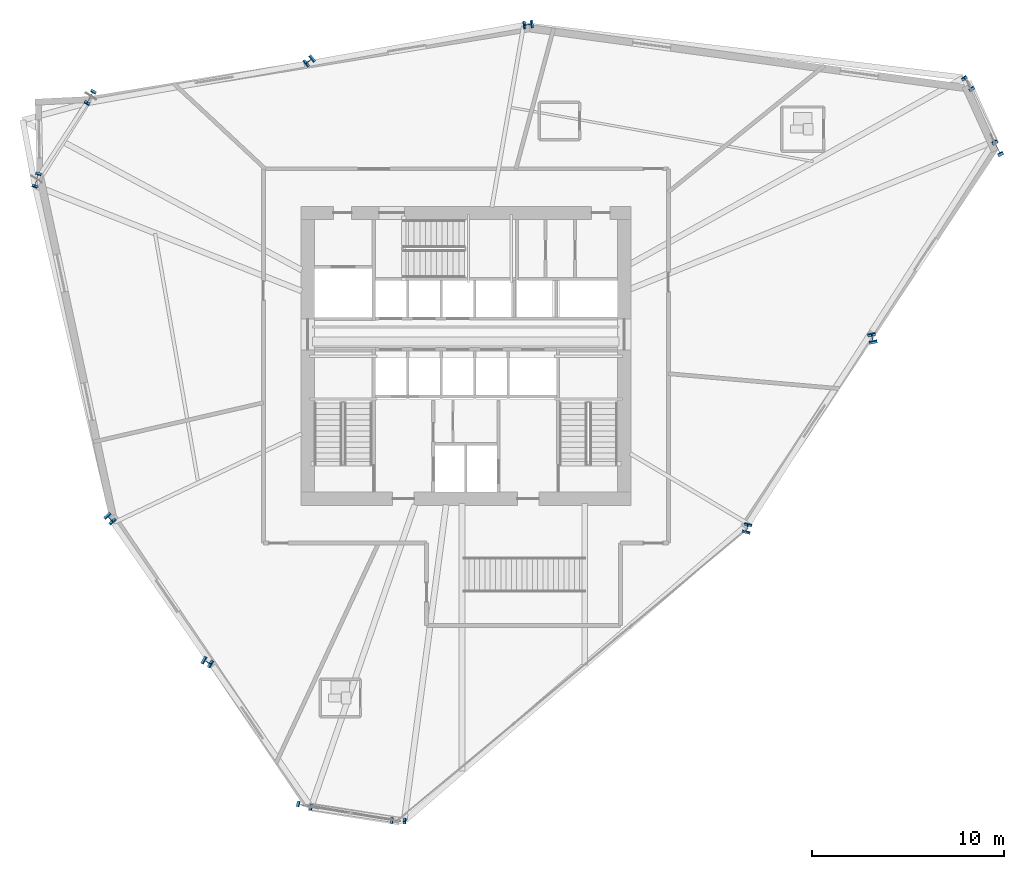
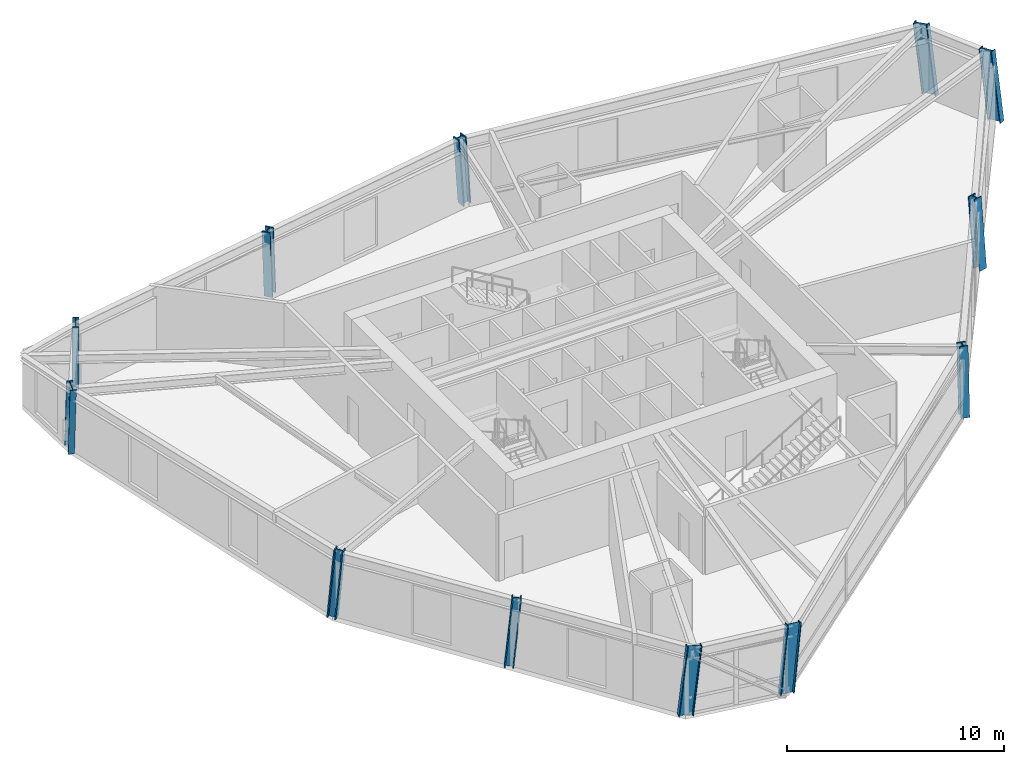
# One storey, part 1 of 16: 12 columns.
"""IFC4 building model written with IfcOpenShell, lengths in metres."""

import ifcopenshell
import ifcopenshell.guid

model = None  # the IFC model being written
_history = None  # IfcOwnerHistory: only IFC2X3 demands one
_inside = {}  # id of a spatial element -> (the spatial element, [elements in it])
_under = {}  # id of a project, library or spatial element -> (it, [spatial elements below it])
_declared = {}  # id of a project -> (the project, [libraries it declares])
_typed = {}  # id of a type object -> (the type object, [elements of that type])
_made_of = {}  # id of a material, layer set ... -> (it, [elements and type objects made of it])


def new_model(schema):
    """Start an empty IFC model of exactly this schema.

    Asked for "IFC4X3", IfcOpenShell would pick the latest addendum, in which some entities
    have other attributes; the version numbers below select the first issue.
    IFC2X3 requires an IfcOwnerHistory on every rooted entity: one is made here for all.
    """
    global model, _history
    if schema == "IFC4X3":
        model = ifcopenshell.file(schema_version=(4, 3, 0, 0))
    else:
        model = ifcopenshell.file(schema=schema)
    _inside.clear()
    _under.clear()
    _declared.clear()
    _typed.clear()
    _made_of.clear()
    _history = None
    if model.schema == "IFC2X3":
        org = make("IfcOrganization", Name="unknown")
        user = make(
            "IfcPersonAndOrganization",
            ThePerson=make("IfcPerson", FamilyName="unknown"),
            TheOrganization=org,
        )
        app = make(
            "IfcApplication",
            ApplicationDeveloper=org,
            Version="unknown",
            ApplicationFullName="unknown",
            ApplicationIdentifier="unknown",
        )
        _history = make(
            "IfcOwnerHistory",
            OwningUser=user,
            OwningApplication=app,
            ChangeAction="ADDED",
            CreationDate=0,
        )
    return model


def make(cls, **values):
    """One entity of the class cls with the attributes given. An attribute that is None is left unset."""
    return model.create_entity(
        cls, **{name: value for name, value in values.items() if value is not None}
    )


def rooted(cls, **values):
    """An entity with a GlobalId (a new one), such as an element, a storey or a relation."""
    return make(cls, GlobalId=ifcopenshell.guid.new(), OwnerHistory=_history, **values)


def si_unit(unit_type, name, prefix=None):
    """IfcSIUnit, for example si_unit("LENGTHUNIT", "METRE", prefix="MILLI")."""
    return make("IfcSIUnit", UnitType=unit_type, Prefix=prefix, Name=name)


def assignment(units):
    """IfcUnitAssignment: the units of a project."""
    return None if units is None else make("IfcUnitAssignment", Units=units)


def point(xyz):
    """IfcCartesianPoint."""
    return None if xyz is None else make("IfcCartesianPoint", Coordinates=xyz)


def direction(xyz):
    """IfcDirection."""
    return None if xyz is None else make("IfcDirection", DirectionRatios=xyz)


def frame(location, z_axis=None, x_axis=None):
    """IfcAxis2Placement3D, a coordinate frame: its origin and axes. An axis left out is left unset."""
    return make(
        "IfcAxis2Placement3D",
        Location=point(location),
        Axis=direction(z_axis),
        RefDirection=direction(x_axis),
    )


def frame_2d(location, x_axis=None):
    """IfcAxis2Placement2D, a coordinate frame in the plane: its origin and x axis."""
    return make(
        "IfcAxis2Placement2D", Location=point(location), RefDirection=direction(x_axis)
    )


def origin():
    """The frame at (0, 0, 0) with its axes left unset."""
    return frame((0.0, 0.0, 0.0))


def origin_2d():
    """The frame at (0, 0) in the plane with its x axis left unset."""
    return frame_2d((0.0, 0.0))


def place(relative_to, where):
    """IfcLocalPlacement: puts the frame where relative to a parent placement (None: the world)."""
    return make(
        "IfcLocalPlacement", PlacementRelTo=relative_to, RelativePlacement=where
    )


def context(
    kind, dimensions, precision=None, world=None, true_north=None, identifier=None
):
    """IfcGeometricRepresentationContext, for example the 3D "Model" context."""
    return make(
        "IfcGeometricRepresentationContext",
        ContextIdentifier=identifier,
        ContextType=kind,
        CoordinateSpaceDimension=dimensions,
        Precision=precision,
        WorldCoordinateSystem=world,
        TrueNorth=true_north,
    )


def subcontext(parent, identifier, kind, view, scale=None):
    """IfcGeometricRepresentationSubContext, for example "Body" below "Model"."""
    return make(
        "IfcGeometricRepresentationSubContext",
        ContextIdentifier=identifier,
        ContextType=kind,
        ParentContext=parent,
        TargetScale=scale,
        TargetView=view,
    )


def project(units=None, contexts=None):
    """IfcProject with its units and contexts."""
    return rooted(
        "IfcProject",
        Name="project",
        RepresentationContexts=contexts,
        UnitsInContext=assignment(units),
    )


def spatial(cls, under=None, at=None, **own):
    """A site, building, storey or space (cls), placed at a placement, below another one or the project."""
    s = rooted(cls, ObjectPlacement=at, **own)
    if under is not None:
        _under.setdefault(under.id(), (under, []))[1].append(s)
    return s


def profile(cls, at=None, kind="AREA", **sizes):
    """A parametric profile (cls). Its sizes go by their IFC names, for example OverallWidth=200.0."""
    return make(cls, ProfileType=kind, Position=at, **sizes)


def i_section(**sizes):
    """IfcIShapeProfileDef."""
    return profile("IfcIShapeProfileDef", **sizes)


def extrude(swept, where, along, depth):
    """IfcExtrudedAreaSolid: the profile swept, set in the frame where, extruded along a direction by depth."""
    return make(
        "IfcExtrudedAreaSolid",
        SweptArea=swept,
        Position=where,
        ExtrudedDirection=direction(along),
        Depth=depth,
    )


def shape(context_of_items, identifier, shape_type, items):
    """IfcShapeRepresentation: the items that make up one representation, for example the "Body"."""
    return make(
        "IfcShapeRepresentation",
        ContextOfItems=context_of_items,
        RepresentationIdentifier=identifier,
        RepresentationType=shape_type,
        Items=items,
    )


def source(mapping_origin, context_of_items, identifier, shape_type, items):
    """IfcRepresentationMap: a shape defined once, which mapped items show again and again."""
    return make(
        "IfcRepresentationMap",
        MappingOrigin=mapping_origin,
        MappedRepresentation=shape(context_of_items, identifier, shape_type, items),
    )


def transform(
    local_origin,
    x_axis=None,
    y_axis=None,
    z_axis=None,
    scale=None,
    scale2=None,
    scale3=None,
    uniform=True,
):
    """IfcCartesianTransformationOperator3D, or its non-uniform kind. x_axis, y_axis, z_axis: its Axis1, 2, 3."""
    if uniform:
        return make(
            "IfcCartesianTransformationOperator3D",
            Axis1=direction(x_axis),
            Axis2=direction(y_axis),
            LocalOrigin=point(local_origin),
            Scale=scale,
            Axis3=direction(z_axis),
        )
    return make(
        "IfcCartesianTransformationOperator3DnonUniform",
        Axis1=direction(x_axis),
        Axis2=direction(y_axis),
        LocalOrigin=point(local_origin),
        Scale=scale,
        Axis3=direction(z_axis),
        Scale2=scale2,
        Scale3=scale3,
    )


def mapped(mapping_source, mapping_target):
    """IfcMappedItem: shows the shape of a source again, moved by a transform."""
    return make(
        "IfcMappedItem", MappingSource=mapping_source, MappingTarget=mapping_target
    )


def material(Name=None, Category=None):
    """IfcMaterial."""
    return make("IfcMaterial", Name=Name, Category=Category)


def material_profile(
    of_material, cross_section, Name=None, Category=None, Priority=None
):
    """IfcMaterialProfile: a cross section and its material."""
    return make(
        "IfcMaterialProfile",
        Name=Name,
        Material=of_material,
        Profile=cross_section,
        Priority=Priority,
        Category=Category,
    )


def profile_set(profiles, Name=None, composite=None):
    """IfcMaterialProfileSet."""
    return make(
        "IfcMaterialProfileSet",
        Name=Name,
        MaterialProfiles=profiles,
        CompositeProfile=composite,
    )


def made_of(thing, what):
    """Note that an element or type object is made of a material, layer set ...; save() writes the relation."""
    if what is not None:
        _made_of.setdefault(what.id(), (what, []))[1].append(thing)
    return thing


def type_object(cls, material=None, **own):
    """A type object (cls), such as IfcWallType, which elements share."""
    return made_of(rooted(cls, **own), material)


def element(
    cls,
    number,
    at=None,
    inside=None,
    cuts=None,
    type_object=None,
    material=None,
    context=None,
    identifier="Body",
    shape_type=None,
    held_by="IfcProductDefinitionShape",
    body=None,
    shapes=None,
    **own,
):
    """One element of the class cls, such as IfcWall. Its Tag is "e" and its number.

    at: its placement. inside: the storey or other place that contains it. cuts: it is an
    opening in that element (IfcRelVoidsElement). A single representation is given by context,
    identifier, shape_type and body (its items); several are given by shapes. held_by: the class
    of the entity that holds the representations. save() writes the other relations.
    """
    e = rooted(cls, Tag="e%d" % number, ObjectPlacement=at, **own)
    if body is not None:
        shapes = [shape(context, identifier, shape_type, body)]
    if shapes is not None:
        e.Representation = make(held_by, Representations=shapes)
    if inside is not None:
        _inside.setdefault(inside.id(), (inside, []))[1].append(e)
    if cuts is not None:
        rooted(
            "IfcRelVoidsElement", RelatingBuildingElement=cuts, RelatedOpeningElement=e
        )
    if type_object is not None:
        _typed.setdefault(type_object.id(), (type_object, []))[1].append(e)
    return made_of(e, material)


def aggregate(whole, parts):
    """IfcRelAggregates: a whole, such as a stair, and the parts it consists of."""
    return rooted("IfcRelAggregates", RelatingObject=whole, RelatedObjects=parts)


def save(model, path):
    """Write the relations noted so far, then the file.

    IfcRelAggregates (storeys below a building ...), IfcRelContainedInSpatialStructure (elements
    in a storey), IfcRelDefinesByType, IfcRelAssociatesMaterial and IfcRelDeclares: one each for
    every whole, place, type object, material and project.
    """
    for whole, parts in _under.values():
        aggregate(whole, parts)
    for where, things in _inside.values():
        rooted(
            "IfcRelContainedInSpatialStructure",
            RelatedElements=things,
            RelatingStructure=where,
        )
    for kind, things in _typed.values():
        rooted("IfcRelDefinesByType", RelatedObjects=things, RelatingType=kind)
    for what, things in _made_of.values():
        rooted("IfcRelAssociatesMaterial", RelatedObjects=things, RelatingMaterial=what)
    for by, libraries in _declared.values():
        rooted("IfcRelDeclares", RelatingContext=by, RelatedDefinitions=libraries)
    model.write(path)


model = new_model("IFC4")

# Units and contexts
model_context = context("Model", 3, precision=1e-05, world=origin(), true_north=direction((0.0, 1.0)))
body_context = subcontext(model_context, "Body", "Model", "MODEL_VIEW")
ifc_project = project(units=[si_unit("LENGTHUNIT", "METRE"), si_unit("AREAUNIT", "SQUARE_METRE"), si_unit("VOLUMEUNIT", "CUBIC_METRE"), si_unit("PLANEANGLEUNIT", "RADIAN"), si_unit("MASSUNIT", "GRAM", prefix="KILO")], contexts=[model_context])

# Site, building, storey
site_placement = place(None, origin())
site = spatial("IfcSite", under=ifc_project, at=site_placement, CompositionType="ELEMENT")
building_placement = place(site_placement, origin())
building = spatial("IfcBuilding", under=site, at=building_placement, Name="Olszyna Solenne Hotel", CompositionType="ELEMENT")
storey_placement = place(building_placement, frame((0.0, 0.0, 134.10009765625)))
storey = spatial("IfcBuildingStorey", under=building, at=storey_placement, Name="L35", CompositionType="ELEMENT", Elevation=134.10009765625)

# Columns
ifc_material = material(Name="Steel S460M", Category="steel")
ifc_material_profile_1 = material_profile(ifc_material, i_section(OverallWidth=0.303955078125, OverallDepth=0.716064453125, WebThickness=0.02099609375, FlangeThickness=0.0400390625, at=origin_2d()), Name="HEM 700", Category="load-bearing")
ifc_profile_set_1 = profile_set([ifc_material_profile_1], Name="Steel S460M")
column_type_1 = type_object("IfcColumnType", Name="COL-K2", PredefinedType="COLUMN", material=ifc_profile_set_1)
shared_shape_1 = source(origin(), body_context, "Body", "SweptSolid", [
    extrude(i_section(OverallWidth=0.303955078125, OverallDepth=0.716064453125, WebThickness=0.02099609375, FlangeThickness=0.0400390625, at=origin_2d()), origin(), (0.0, 0.0, 1.0), 3.865478515625),
])
column_1_placement = place(storey_placement, frame((65.744384765625, 37.35205078125, 0.0), z_axis=(-0.056968374746, 0.111915698503, 0.992083404108), x_axis=(-0.891185296634, -0.453639468151, 0.0)))
element("IfcColumn", 1, at=column_1_placement, inside=storey, type_object=column_type_1, Name="Perimeter framed-tube column COL-K2 C-L35-01", PredefinedType="COLUMN", context=body_context, shape_type="MappedRepresentation", body=[
    mapped(shared_shape_1, transform((0.0, 0.0, 0.0), x_axis=(1.0, 0.0, 0.0), y_axis=(0.0, 1.0, 0.0), z_axis=(0.0, 0.0, 1.0), scale=1.0)),
])
shared_shape_2 = source(origin(), body_context, "Body", "SweptSolid", [
    extrude(i_section(OverallWidth=0.303955078125, OverallDepth=0.716064453125, WebThickness=0.02099609375, FlangeThickness=0.0400390625, at=origin_2d()), origin(), (0.0, 0.0, 1.0), 3.861572265625),
])
column_2_placement = place(storey_placement, frame((64.207763671875, 40.731201171875, 0.0), z_axis=(-0.066446667597, 0.096666940776, 0.993096341211), x_axis=(-0.824089099315, -0.566460198417, 0.0)))
element("IfcColumn", 2, at=column_2_placement, inside=storey, type_object=column_type_1, Name="Perimeter framed-tube column COL-K2 C-L35-02", PredefinedType="COLUMN", context=body_context, shape_type="MappedRepresentation", body=[
    mapped(shared_shape_2, transform((0.0, 0.0, 0.0), x_axis=(1.0, 0.0, 0.0), y_axis=(0.0, 1.0, 0.0), z_axis=(0.0, 0.0, 1.0), scale=1.0)),
])
ifc_material_profile_2 = material_profile(ifc_material, i_section(OverallWidth=0.41796875, OverallDepth=0.455078125, WebThickness=0.03759765625, FlangeThickness=0.05908203125, at=origin_2d()), Name="HD 400x551", Category="load-bearing")
ifc_profile_set_2 = profile_set([ifc_material_profile_2], Name="Steel S460M")
column_type_2 = type_object("IfcColumnType", Name="COL-T2", PredefinedType="COLUMN", material=ifc_profile_set_2)
shared_shape_3 = source(origin(), body_context, "Body", "SweptSolid", [
    extrude(i_section(OverallWidth=0.41796875, OverallDepth=0.455078125, WebThickness=0.03759765625, FlangeThickness=0.05908203125, at=origin_2d()), origin(), (0.0, 0.0, 1.0), 3.84521484375),
])
column_3_placement = place(storey_placement, frame((41.28564453125, 43.868408203125, 0.0), z_axis=(-0.072380782417, -0.009587279074, 0.997330991405), x_axis=(0.131309262707, -0.99134145355, 0.0)))
element("IfcColumn", 3, at=column_3_placement, inside=storey, type_object=column_type_2, Name="Perimeter framed-tube column COL-T2 C-L35-03", PredefinedType="COLUMN", context=body_context, shape_type="MappedRepresentation", body=[
    mapped(shared_shape_3, transform((0.0, 0.0, 0.0), x_axis=(1.0, 0.0, 0.0), y_axis=(0.0, 1.0, 0.0), z_axis=(0.0, 0.0, 1.0), scale=1.0)),
])
shared_shape_4 = source(origin(), body_context, "Body", "SweptSolid", [
    extrude(i_section(OverallWidth=0.41796875, OverallDepth=0.455078125, WebThickness=0.03759765625, FlangeThickness=0.05908203125, at=origin_2d()), origin(), (0.0, 0.0, 1.0), 3.846923828125),
])
column_4_placement = place(storey_placement, frame((29.869873046875, 41.998779296875, 0.0), z_axis=(-0.061495980283, -0.049437944933, 0.996882206687), x_axis=(0.626556911825, -0.779375670806, 0.0)))
element("IfcColumn", 4, at=column_4_placement, inside=storey, type_object=column_type_2, Name="Perimeter framed-tube column COL-T2 C-L35-04", PredefinedType="COLUMN", context=body_context, shape_type="MappedRepresentation", body=[
    mapped(shared_shape_4, transform((0.0, 0.0, 0.0), x_axis=(1.0, 0.0, 0.0), y_axis=(0.0, 1.0, 0.0), z_axis=(0.0, 0.0, 1.0), scale=1.0)),
])
shared_shape_5 = source(origin(), body_context, "Body", "SweptSolid", [
    extrude(i_section(OverallWidth=0.303955078125, OverallDepth=0.716064453125, WebThickness=0.02099609375, FlangeThickness=0.0400390625, at=origin_2d()), origin(), (0.0, 0.0, 1.0), 3.855224609375),
])
column_5_placement = place(storey_placement, frame((18.453857421875, 40.12939453125, 0.0), z_axis=(-0.050471458209, -0.089164131942, 0.994737346982), x_axis=(0.870251855755, -0.492607051873, 0.0)))
element("IfcColumn", 5, at=column_5_placement, inside=storey, type_object=column_type_1, Name="Perimeter framed-tube column COL-K2 C-L35-05", PredefinedType="COLUMN", context=body_context, shape_type="MappedRepresentation", body=[
    mapped(shared_shape_5, transform((0.0, 0.0, 0.0), x_axis=(1.0, 0.0, 0.0), y_axis=(0.0, 1.0, 0.0), z_axis=(0.0, 0.0, 1.0), scale=1.0)),
])
shared_shape_6 = source(origin(), body_context, "Body", "SweptSolid", [
    extrude(i_section(OverallWidth=0.303955078125, OverallDepth=0.716064453125, WebThickness=0.02099609375, FlangeThickness=0.0400390625, at=origin_2d()), origin(), (0.0, 0.0, 1.0), 3.8515625),
])
column_6_placement = place(storey_placement, frame((15.64453125, 35.819580078125, 0.0), z_axis=(-0.025545505821, -0.088997246086, 0.995704231849), x_axis=(0.961187384498, -0.275896378884, 0.0)))
element("IfcColumn", 6, at=column_6_placement, inside=storey, type_object=column_type_1, Name="Perimeter framed-tube column COL-K2 C-L35-06", PredefinedType="COLUMN", context=body_context, shape_type="MappedRepresentation", body=[
    mapped(shared_shape_6, transform((0.0, 0.0, 0.0), x_axis=(1.0, 0.0, 0.0), y_axis=(0.0, 1.0, 0.0), z_axis=(0.0, 0.0, 1.0), scale=1.0)),
])
shared_shape_7 = source(origin(), body_context, "Body", "SweptSolid", [
    extrude(i_section(OverallWidth=0.41796875, OverallDepth=0.455078125, WebThickness=0.03759765625, FlangeThickness=0.05908203125, at=origin_2d()), origin(), (0.0, 0.0, 1.0), 3.849609375),
])
column_7_placement = place(storey_placement, frame((19.423583984375, 18.15771484375, 0.0), z_axis=(0.057269532433, -0.065260629982, 0.996223494417), x_axis=(0.75162568907, 0.659589890409, 0.0)))
element("IfcColumn", 7, at=column_7_placement, inside=storey, type_object=column_type_2, Name="Perimeter framed-tube column COL-T2 C-L35-07", PredefinedType="COLUMN", context=body_context, shape_type="MappedRepresentation", body=[
    mapped(shared_shape_7, transform((0.0, 0.0, 0.0), x_axis=(1.0, 0.0, 0.0), y_axis=(0.0, 1.0, 0.0), z_axis=(0.0, 0.0, 1.0), scale=1.0)),
])
shared_shape_8 = source(origin(), body_context, "Body", "SweptSolid", [
    extrude(i_section(OverallWidth=0.41796875, OverallDepth=0.455078125, WebThickness=0.03759765625, FlangeThickness=0.05908203125, at=origin_2d()), origin(), (0.0, 0.0, 1.0), 3.851806640625),
])
column_8_placement = place(storey_placement, frame((24.476806640625, 10.673095703125, 0.0), z_axis=(0.081132607454, -0.045827246242, 0.995649217099), x_axis=(0.491810675723, 0.870702164489, 0.0)))
element("IfcColumn", 8, at=column_8_placement, inside=storey, type_object=column_type_2, Name="Perimeter framed-tube column COL-T2 C-L35-08", PredefinedType="COLUMN", context=body_context, shape_type="MappedRepresentation", body=[
    mapped(shared_shape_8, transform((0.0, 0.0, 0.0), x_axis=(1.0, 0.0, 0.0), y_axis=(0.0, 1.0, 0.0), z_axis=(0.0, 0.0, 1.0), scale=1.0)),
])
shared_shape_9 = source(origin(), body_context, "Body", "SweptSolid", [
    extrude(i_section(OverallWidth=0.303955078125, OverallDepth=0.716064453125, WebThickness=0.02099609375, FlangeThickness=0.0400390625, at=origin_2d()), origin(), (0.0, 0.0, 1.0), 3.857666015625),
])
column_9_placement = place(storey_placement, frame((29.530029296875, 3.1884765625, 0.0), z_axis=(0.10480645544, -0.026391480627, 0.994142392542), x_axis=(0.244188687524, 0.969727737504, 0.0)))
element("IfcColumn", 9, at=column_9_placement, inside=storey, type_object=column_type_1, Name="Perimeter framed-tube column COL-K2 C-L35-09", PredefinedType="COLUMN", context=body_context, shape_type="MappedRepresentation", body=[
    mapped(shared_shape_9, transform((0.0, 0.0, 0.0), x_axis=(1.0, 0.0, 0.0), y_axis=(0.0, 1.0, 0.0), z_axis=(0.0, 0.0, 1.0), scale=1.0)),
])
shared_shape_10 = source(origin(), body_context, "Body", "SweptSolid", [
    extrude(i_section(OverallWidth=0.303955078125, OverallDepth=0.716064453125, WebThickness=0.02099609375, FlangeThickness=0.0400390625, at=origin_2d()), origin(), (0.0, 0.0, 1.0), 3.852294921875),
])
column_10_placement = place(storey_placement, frame((34.41943359375, 2.379150390625, 0.0), z_axis=(0.094933740142, -0.00449952974, 0.995473424665), x_axis=(0.047343381717, 0.998878673417, 0.0)))
element("IfcColumn", 10, at=column_10_placement, inside=storey, type_object=column_type_1, Name="Perimeter framed-tube column COL-K2 C-L35-10", PredefinedType="COLUMN", context=body_context, shape_type="MappedRepresentation", body=[
    mapped(shared_shape_10, transform((0.0, 0.0, 0.0), x_axis=(1.0, 0.0, 0.0), y_axis=(0.0, 1.0, 0.0), z_axis=(0.0, 0.0, 1.0), scale=1.0)),
])
shared_shape_11 = source(origin(), body_context, "Body", "SweptSolid", [
    extrude(i_section(OverallWidth=0.41796875, OverallDepth=0.455078125, WebThickness=0.03759765625, FlangeThickness=0.05908203125, at=origin_2d()), origin(), (0.0, 0.0, 1.0), 3.845947265625),
])
column_11_placement = place(storey_placement, frame((52.64306640625, 17.57177734375, 0.0), z_axis=(0.018282526651, 0.073066625609, 0.997159474428), x_axis=(-0.970092901867, 0.242733932005, 0.0)))
element("IfcColumn", 11, at=column_11_placement, inside=storey, type_object=column_type_2, Name="Perimeter framed-tube column COL-T2 C-L35-11", PredefinedType="COLUMN", context=body_context, shape_type="MappedRepresentation", body=[
    mapped(shared_shape_11, transform((0.0, 0.0, 0.0), x_axis=(1.0, 0.0, 0.0), y_axis=(0.0, 1.0, 0.0), z_axis=(0.0, 0.0, 1.0), scale=1.0)),
])
shared_shape_12 = source(origin(), body_context, "Body", "SweptSolid", [
    extrude(i_section(OverallWidth=0.41796875, OverallDepth=0.455078125, WebThickness=0.03759765625, FlangeThickness=0.05908203125, at=origin_2d()), origin(), (0.0, 0.0, 1.0), 3.852294921875),
])
column_12_placement = place(storey_placement, frame((59.193603515625, 27.4619140625, 0.0), z_axis=(-0.019393152912, 0.092592798709, 0.995515182831), x_axis=(-0.978762499952, -0.20499748459, 0.0)))
element("IfcColumn", 12, at=column_12_placement, inside=storey, type_object=column_type_2, Name="Perimeter framed-tube column COL-T2 C-L35-12", PredefinedType="COLUMN", context=body_context, shape_type="MappedRepresentation", body=[
    mapped(shared_shape_12, transform((0.0, 0.0, 0.0), x_axis=(1.0, 0.0, 0.0), y_axis=(0.0, 1.0, 0.0), z_axis=(0.0, 0.0, 1.0), scale=1.0)),
])

save(model, "model.ifc")
